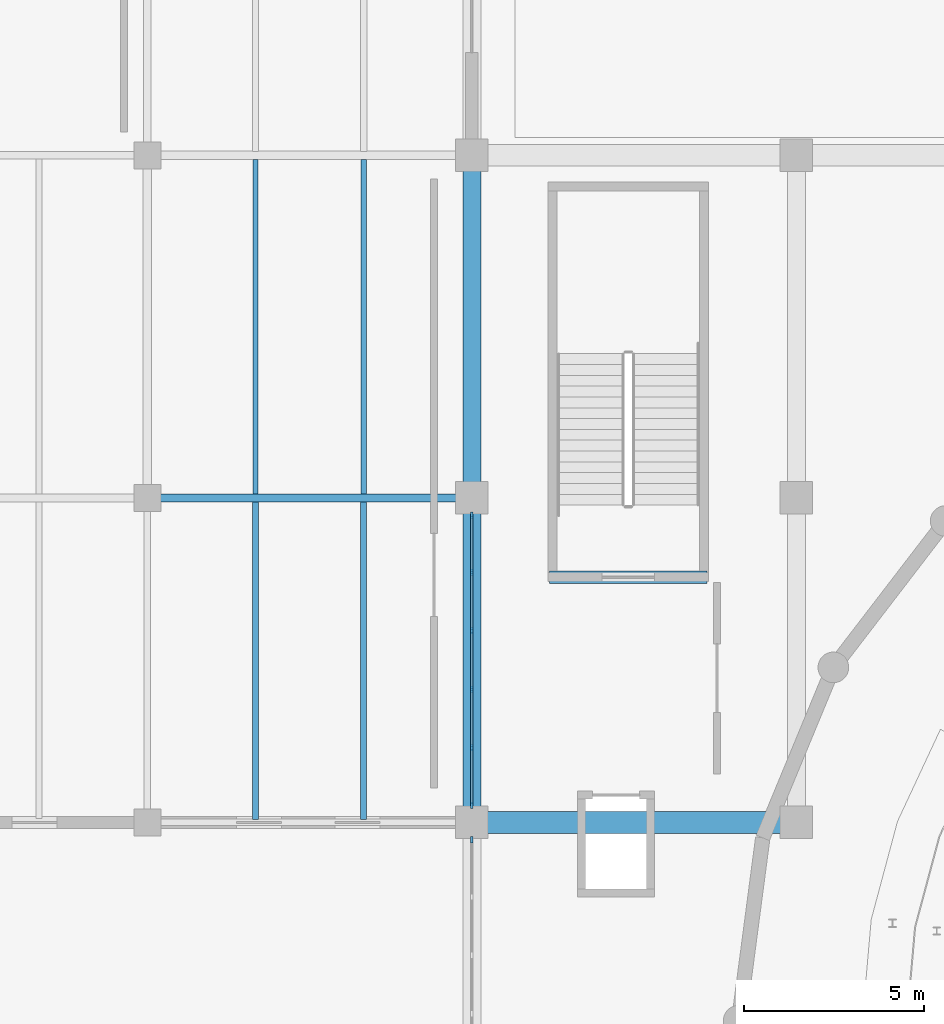
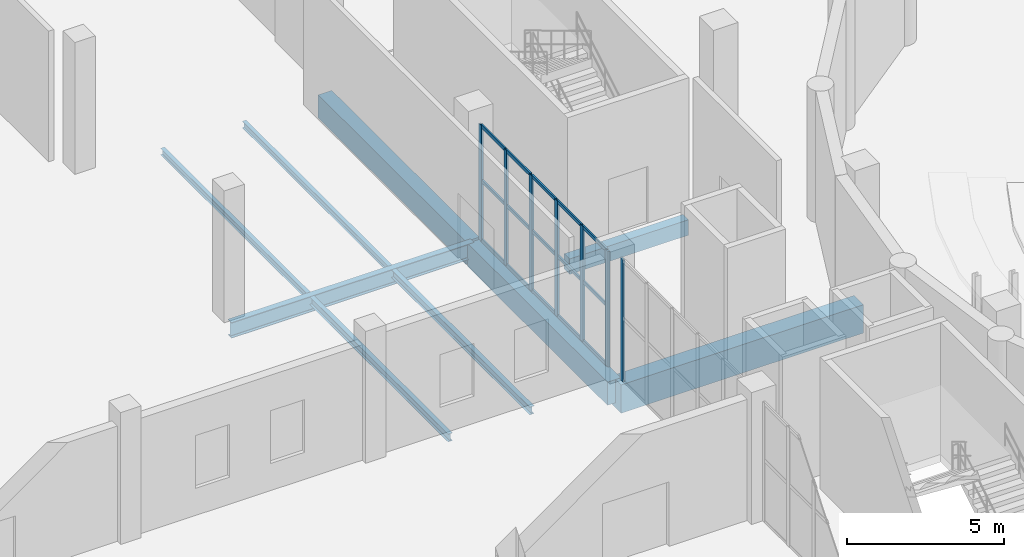
# One storey, part 49 of 103: 22 members, 9 beams, 2 elements without a shape of their own.
"""IFC4 building model written with IfcOpenShell, lengths in metres."""

from ifc_helpers import new_model, si_unit, direction, frame, origin, origin_2d, place, context, subcontext, project, spatial, rectangle, i_section, extrude, material, layer, layer_set, material_profile, profile_set, type_object, element, aggregate, save


model = new_model("IFC4")

# Units and contexts
model_context = context("Model", 3, precision=1e-05, world=origin(), true_north=direction((0.0, 1.0)))
body_context = subcontext(model_context, "Body", "Model", "MODEL_VIEW")
ifc_project = project(units=[si_unit("LENGTHUNIT", "METRE"), si_unit("AREAUNIT", "SQUARE_METRE"), si_unit("VOLUMEUNIT", "CUBIC_METRE"), si_unit("PLANEANGLEUNIT", "RADIAN"), si_unit("MASSUNIT", "GRAM", prefix="KILO")], contexts=[model_context])

# Site, building, storey
site_placement = place(None, origin())
site = spatial("IfcSite", under=ifc_project, at=site_placement, CompositionType="ELEMENT")
building_placement = place(site_placement, origin())
building = spatial("IfcBuilding", under=site, at=building_placement, Name="Marnock Terrace Opera House", CompositionType="ELEMENT")
storey_placement = place(building_placement, origin())
storey = spatial("IfcBuildingStorey", under=building, at=storey_placement, Name="L00", CompositionType="ELEMENT", Elevation=0.0)

# Beams
ifc_material_1 = material(Name="Concrete N40 (f'c = 40 MPa)", Category="concrete")
ifc_material_profile_1 = material_profile(ifc_material_1, rectangle(XDim=0.5, YDim=0.89990234375, at=origin_2d()))
ifc_profile_set_1 = profile_set([ifc_material_profile_1], Name="Concrete N40 (f'c = 40 MPa)")
beam_type_1 = type_object("IfcBeamType", Name="BM-B1-RC500", PredefinedType="BEAM", material=ifc_profile_set_1)
beam_1_placement = place(storey_placement, frame((55.0, 66.050048828125, -0.75), z_axis=(0.0, 1.0, 0.0), x_axis=(-1.0, 0.0, 0.0)))
element("IfcBeam", 1, at=beam_1_placement, inside=storey, type_object=beam_type_1, Name="L00 girder (X=55.0, 66.0..75.0)", PredefinedType="BEAM", context=body_context, shape_type="SweptSolid", body=[
    extrude(rectangle(XDim=0.5, YDim=0.89990234375, at=origin_2d()), origin(), (0.0, 0.0, 1.0), 8.89990234375),
])
beam_2_placement = place(storey_placement, frame((55.0, 75.050048828125, -0.75), z_axis=(0.0, 1.0, 0.0), x_axis=(-1.0, 0.0, 0.0)))
element("IfcBeam", 2, at=beam_2_placement, inside=storey, type_object=beam_type_1, Name="L00 girder (X=55.0, 75.0..84.5)", PredefinedType="BEAM", context=body_context, shape_type="SweptSolid", body=[
    extrude(rectangle(XDim=0.5, YDim=0.89990234375, at=origin_2d()), origin(), (0.0, 0.0, 1.0), 9.39990234375),
])
ifc_material_profile_2 = material_profile(ifc_material_1, rectangle(XDim=0.60009765625, YDim=1.10009765625, at=origin_2d()))
ifc_profile_set_2 = profile_set([ifc_material_profile_2], Name="Concrete N40 (f'c = 40 MPa)")
beam_type_2 = type_object("IfcBeamType", Name="BM-B1-RC600", PredefinedType="BEAM", material=ifc_profile_set_2)
beam_3_placement = place(storey_placement, frame((55.050048828125, 66.0, -0.85009765625), z_axis=(1.0, 0.0, 0.0), x_axis=(0.0, 1.0, 0.0)))
element("IfcBeam", 3, at=beam_3_placement, inside=storey, type_object=beam_type_2, Name="L00 girder (55.0..64.0, Y=66.0)", PredefinedType="BEAM", context=body_context, shape_type="SweptSolid", body=[
    extrude(rectangle(XDim=0.60009765625, YDim=1.10009765625, at=origin_2d()), origin(), (0.0, 0.0, 1.0), 8.89990234375),
])
ifc_material_2 = material(Name="Steel Grade 350 (AS/NZS 3679.1)", Category="steel")
ifc_material_profile_3 = material_profile(ifc_material_2, i_section(OverallWidth=0.22900390625, OverallDepth=0.611572265625, WebThickness=0.011962890625, FlangeThickness=0.01953125, FilletRadius=0.013916015625, at=origin_2d()))
ifc_profile_set_3 = profile_set([ifc_material_profile_3], Name="Steel Grade 350 (AS/NZS 3679.1)")
beam_type_3 = type_object("IfcBeamType", Name="BM-GIRD-610A", PredefinedType="BEAM", material=ifc_profile_set_3)
beam_4_placement = place(storey_placement, frame((46.050048828125, 75.0, -0.605712890625), z_axis=(1.0, 0.0, 0.0), x_axis=(0.0, 1.0, 0.0)))
element("IfcBeam", 4, at=beam_4_placement, inside=storey, type_object=beam_type_3, Name="L00 girder (46.0..55.0, Y=75.0)", PredefinedType="BEAM", context=body_context, shape_type="SweptSolid", body=[
    extrude(i_section(OverallWidth=0.22900390625, OverallDepth=0.611572265625, WebThickness=0.011962890625, FlangeThickness=0.01953125, FilletRadius=0.013916015625, at=origin_2d()), origin(), (0.0, 0.0, 1.0), 8.89990234375),
])
ifc_material_profile_4 = material_profile(ifc_material_2, i_section(OverallWidth=0.14599609375, OverallDepth=0.256103515625, WebThickness=0.00634765625, FlangeThickness=0.010986328125, FilletRadius=0.0087890625, at=origin_2d()))
ifc_profile_set_4 = profile_set([ifc_material_profile_4], Name="Steel Grade 350 (AS/NZS 3679.1)")
beam_type_4 = type_object("IfcBeamType", Name="BM-JOIST-250", PredefinedType="JOIST", material=ifc_profile_set_4)
for number, where, z_axis, x_axis, name in (
    (5, (49.0, 75.109619140625, -0.427978515625), (0.0, 1.0, 0.0), (-1.0, 0.0, 0.0), "L00 secondary joist 5.9.1"),
    (6, (52.0, 75.109619140625, -0.427978515625), (0.0, 1.0, 0.0), (-1.0, 0.0, 0.0), "L00 secondary joist 5.9.2"),
):
    element("IfcBeam", number, at=place(storey_placement, frame(where, z_axis=z_axis, x_axis=x_axis)), inside=storey, type_object=beam_type_4, Name=name, PredefinedType="JOIST", context=body_context, shape_type="SweptSolid", body=[
        extrude(i_section(OverallWidth=0.14599609375, OverallDepth=0.256103515625, WebThickness=0.00634765625, FlangeThickness=0.010986328125, FilletRadius=0.0087890625, at=origin_2d()), origin(), (0.0, 0.0, 1.0), 9.281494140625),
    ])
ifc_material_profile_5 = material_profile(ifc_material_2, i_section(OverallWidth=0.1650390625, OverallDepth=0.3037109375, WebThickness=0.006103515625, FlangeThickness=0.01025390625, FilletRadius=0.011474609375, at=origin_2d()))
ifc_profile_set_5 = profile_set([ifc_material_profile_5], Name="Steel Grade 350 (AS/NZS 3679.1)")
beam_type_5 = type_object("IfcBeamType", Name="BM-JOIST-310B", PredefinedType="JOIST", material=ifc_profile_set_5)
for number, where, z_axis, x_axis, name in (
    (7, (49.0, 66.083984375, -0.451904296875), (0.0, 1.0, 0.0), (-1.0, 0.0, 0.0), "L00 secondary joist 5.8.1"),
    (8, (52.0, 66.083984375, -0.451904296875), (0.0, 1.0, 0.0), (-1.0, 0.0, 0.0), "L00 secondary joist 5.8.2"),
):
    element("IfcBeam", number, at=place(storey_placement, frame(where, z_axis=z_axis, x_axis=x_axis)), inside=storey, type_object=beam_type_5, Name=name, PredefinedType="JOIST", context=body_context, shape_type="SweptSolid", body=[
        extrude(i_section(OverallWidth=0.1650390625, OverallDepth=0.3037109375, WebThickness=0.006103515625, FlangeThickness=0.01025390625, FilletRadius=0.011474609375, at=origin_2d()), origin(), (0.0, 0.0, 1.0), 8.806396484375),
    ])
ifc_material_profile_6 = material_profile(ifc_material_1, rectangle(XDim=0.35009765625, YDim=0.60009765625, at=origin_2d()))
ifc_profile_set_6 = profile_set([ifc_material_profile_6], Name="Concrete N40 (f'c = 40 MPa)")
beam_type_6 = type_object("IfcBeamType", Name="BM-LINT-RC350", PredefinedType="LINTEL", material=ifc_profile_set_6)
beam_5_placement = place(storey_placement, frame((57.159912109375, 72.800048828125, -0.64990234375), z_axis=(1.0, 0.0, 0.0), x_axis=(0.0, 1.0, 0.0)))
element("IfcBeam", 9, at=beam_5_placement, inside=storey, type_object=beam_type_6, Name="B1 Core C3 coupling lintel", PredefinedType="LINTEL", context=body_context, shape_type="SweptSolid", body=[
    extrude(rectangle(XDim=0.35009765625, YDim=0.60009765625, at=origin_2d()), origin(), (0.0, 0.0, 1.0), 4.360107421875),
])

# Curtain wall, member
ifc_material_3 = material(Name="Anodised architectural bronze aluminium framing", Category="aluminium")
ifc_layer = layer(ifc_material_3, 0.159912109375)
ifc_layer_set = layer_set([ifc_layer], Name="Anodised architectural bronze aluminium framing")
curtain_wall_type = type_object("IfcCurtainWallType", Name="CW-FOYER-90x51", PredefinedType="NOTDEFINED", material=ifc_layer_set)
curtain_wall_1_placement = place(storey_placement, origin())
curtain_wall_1 = element("IfcCurtainWall", 10, at=curtain_wall_1_placement, inside=storey, type_object=curtain_wall_type, Name="L00 glazed Beaux-Arts colonnade curtain wall CW-V1W-L00-07", PredefinedType="NOTDEFINED")
ifc_material_profile_7 = material_profile(ifc_material_3, rectangle(XDim=0.06494140625, YDim=0.179931640625, at=origin_2d()))
ifc_profile_set_7 = profile_set([ifc_material_profile_7], Name="Anodised architectural bronze aluminium framing")
member_type_1 = type_object("IfcMemberType", Name="CWM-65x180", PredefinedType="MULLION", material=ifc_profile_set_7)
member_1_placement = place(storey_placement, frame((55.0, 65.52392578125, 0.0), z_axis=(0.0, 0.0, 1.0), x_axis=(-1.0, 0.0, 0.0)))
member_1 = element("IfcMember", 11, at=member_1_placement, type_object=member_type_1, Name="CW-31 mullion 6", PredefinedType="MULLION", context=body_context, shape_type="SweptSolid", body=[
    extrude(rectangle(XDim=0.06494140625, YDim=0.179931640625, at=origin_2d()), origin(), (0.0, 0.0, 1.0), 4.734375),
])
aggregate(curtain_wall_1, [member_1])

# Curtain wall, members
curtain_wall_2_placement = place(storey_placement, origin())
curtain_wall_2 = element("IfcCurtainWall", 12, at=curtain_wall_2_placement, inside=storey, type_object=curtain_wall_type, Name="L00 glazed Beaux-Arts colonnade curtain wall CW-V1W-L00-08", PredefinedType="NOTDEFINED")
member_2_placement = place(storey_placement, frame((55.0, 66.47607421875, 0.0), z_axis=(0.0, 0.0, 1.0), x_axis=(-1.0, 0.0, 0.0)))
member_2 = element("IfcMember", 13, at=member_2_placement, type_object=member_type_1, Name="CW-31 mullion 1", PredefinedType="MULLION", context=body_context, shape_type="SweptSolid", body=[
    extrude(rectangle(XDim=0.06494140625, YDim=0.179931640625, at=origin_2d()), origin(), (0.0, 0.0, 1.0), 4.488037109375),
])
member_3_placement = place(storey_placement, frame((55.0, 68.067626953125, 0.0), z_axis=(0.0, 0.0, 1.0), x_axis=(-1.0, 0.0, 0.0)))
member_3 = element("IfcMember", 14, at=member_3_placement, type_object=member_type_1, Name="CW-31 mullion 2", PredefinedType="MULLION", context=body_context, shape_type="SweptSolid", body=[
    extrude(rectangle(XDim=0.06494140625, YDim=0.179931640625, at=origin_2d()), origin(), (0.0, 0.0, 1.0), 4.488037109375),
])
member_4_placement = place(storey_placement, frame((55.0, 69.689208984375, 0.0), z_axis=(0.0, 0.0, 1.0), x_axis=(-1.0, 0.0, 0.0)))
member_4 = element("IfcMember", 15, at=member_4_placement, type_object=member_type_1, Name="CW-31 mullion 3", PredefinedType="MULLION", context=body_context, shape_type="SweptSolid", body=[
    extrude(rectangle(XDim=0.06494140625, YDim=0.179931640625, at=origin_2d()), origin(), (0.0, 0.0, 1.0), 4.488037109375),
])
member_5_placement = place(storey_placement, frame((55.0, 71.310791015625, 0.0), z_axis=(0.0, 0.0, 1.0), x_axis=(-1.0, 0.0, 0.0)))
member_5 = element("IfcMember", 16, at=member_5_placement, type_object=member_type_1, Name="CW-31 mullion 4", PredefinedType="MULLION", context=body_context, shape_type="SweptSolid", body=[
    extrude(rectangle(XDim=0.06494140625, YDim=0.179931640625, at=origin_2d()), origin(), (0.0, 0.0, 1.0), 4.488037109375),
])
member_6_placement = place(storey_placement, frame((55.0, 72.932373046875, 0.0), z_axis=(0.0, 0.0, 1.0), x_axis=(-1.0, 0.0, 0.0)))
member_6 = element("IfcMember", 17, at=member_6_placement, type_object=member_type_1, Name="CW-31 mullion 5", PredefinedType="MULLION", context=body_context, shape_type="SweptSolid", body=[
    extrude(rectangle(XDim=0.06494140625, YDim=0.179931640625, at=origin_2d()), origin(), (0.0, 0.0, 1.0), 4.488037109375),
])
member_7_placement = place(storey_placement, frame((55.0, 74.52392578125, 0.0), z_axis=(0.0, 0.0, 1.0), x_axis=(-1.0, 0.0, 0.0)))
member_7 = element("IfcMember", 18, at=member_7_placement, type_object=member_type_1, Name="CW-31 mullion 6", PredefinedType="MULLION", context=body_context, shape_type="SweptSolid", body=[
    extrude(rectangle(XDim=0.06494140625, YDim=0.179931640625, at=origin_2d()), origin(), (0.0, 0.0, 1.0), 4.488037109375),
])
ifc_material_profile_8 = material_profile(ifc_material_3, rectangle(XDim=0.06005859375, YDim=0.1298828125, at=origin_2d()))
ifc_profile_set_8 = profile_set([ifc_material_profile_8], Name="Anodised architectural bronze aluminium framing")
member_type_2 = type_object("IfcMemberType", Name="CWT-60x130", PredefinedType="USERDEFINED", material=ifc_profile_set_8)
member_8_placement = place(storey_placement, frame((55.0, 66.506103515625, 0.030029296875), z_axis=(0.0, 1.0, 0.0), x_axis=(-1.0, 0.0, 0.0)))
member_8 = element("IfcMember", 19, at=member_8_placement, type_object=member_type_2, Name="CW-31 transom 1.1", ObjectType="TRANSOM", PredefinedType="USERDEFINED", context=body_context, shape_type="SweptSolid", body=[
    extrude(rectangle(XDim=0.06005859375, YDim=0.1298828125, at=origin_2d()), origin(), (0.0, 0.0, 1.0), 1.531494140625),
])
member_9_placement = place(storey_placement, frame((55.0, 66.506103515625, 2.333740234375), z_axis=(0.0, 1.0, 0.0), x_axis=(-1.0, 0.0, 0.0)))
member_9 = element("IfcMember", 20, at=member_9_placement, type_object=member_type_2, Name="CW-31 transom 1.2", ObjectType="TRANSOM", PredefinedType="USERDEFINED", context=body_context, shape_type="SweptSolid", body=[
    extrude(rectangle(XDim=0.06005859375, YDim=0.1298828125, at=origin_2d()), origin(), (0.0, 0.0, 1.0), 1.531494140625),
])
member_10_placement = place(storey_placement, frame((55.0, 66.506103515625, 4.4580078125), z_axis=(0.0, 1.0, 0.0), x_axis=(-1.0, 0.0, 0.0)))
member_10 = element("IfcMember", 21, at=member_10_placement, type_object=member_type_2, Name="CW-31 transom 1.3", ObjectType="TRANSOM", PredefinedType="USERDEFINED", context=body_context, shape_type="SweptSolid", body=[
    extrude(rectangle(XDim=0.06005859375, YDim=0.1298828125, at=origin_2d()), origin(), (0.0, 0.0, 1.0), 1.531494140625),
])
member_11_placement = place(storey_placement, frame((55.0, 68.09765625, 0.030029296875), z_axis=(0.0, 1.0, 0.0), x_axis=(-1.0, 0.0, 0.0)))
member_11 = element("IfcMember", 22, at=member_11_placement, type_object=member_type_2, Name="CW-31 transom 2.1", ObjectType="TRANSOM", PredefinedType="USERDEFINED", context=body_context, shape_type="SweptSolid", body=[
    extrude(rectangle(XDim=0.06005859375, YDim=0.1298828125, at=origin_2d()), origin(), (0.0, 0.0, 1.0), 1.5615234375),
])
member_12_placement = place(storey_placement, frame((55.0, 68.09765625, 2.333740234375), z_axis=(0.0, 1.0, 0.0), x_axis=(-1.0, 0.0, 0.0)))
member_12 = element("IfcMember", 23, at=member_12_placement, type_object=member_type_2, Name="CW-31 transom 2.2", ObjectType="TRANSOM", PredefinedType="USERDEFINED", context=body_context, shape_type="SweptSolid", body=[
    extrude(rectangle(XDim=0.06005859375, YDim=0.1298828125, at=origin_2d()), origin(), (0.0, 0.0, 1.0), 1.5615234375),
])
member_13_placement = place(storey_placement, frame((55.0, 68.09765625, 4.4580078125), z_axis=(0.0, 1.0, 0.0), x_axis=(-1.0, 0.0, 0.0)))
member_13 = element("IfcMember", 24, at=member_13_placement, type_object=member_type_2, Name="CW-31 transom 2.3", ObjectType="TRANSOM", PredefinedType="USERDEFINED", context=body_context, shape_type="SweptSolid", body=[
    extrude(rectangle(XDim=0.06005859375, YDim=0.1298828125, at=origin_2d()), origin(), (0.0, 0.0, 1.0), 1.5615234375),
])
member_14_placement = place(storey_placement, frame((55.0, 69.71923828125, 0.030029296875), z_axis=(0.0, 1.0, 0.0), x_axis=(-1.0, 0.0, 0.0)))
member_14 = element("IfcMember", 25, at=member_14_placement, type_object=member_type_2, Name="CW-31 transom 3.1", ObjectType="TRANSOM", PredefinedType="USERDEFINED", context=body_context, shape_type="SweptSolid", body=[
    extrude(rectangle(XDim=0.06005859375, YDim=0.1298828125, at=origin_2d()), origin(), (0.0, 0.0, 1.0), 1.5615234375),
])
member_15_placement = place(storey_placement, frame((55.0, 69.71923828125, 2.333740234375), z_axis=(0.0, 1.0, 0.0), x_axis=(-1.0, 0.0, 0.0)))
member_15 = element("IfcMember", 26, at=member_15_placement, type_object=member_type_2, Name="CW-31 transom 3.2", ObjectType="TRANSOM", PredefinedType="USERDEFINED", context=body_context, shape_type="SweptSolid", body=[
    extrude(rectangle(XDim=0.06005859375, YDim=0.1298828125, at=origin_2d()), origin(), (0.0, 0.0, 1.0), 1.5615234375),
])
member_16_placement = place(storey_placement, frame((55.0, 69.71923828125, 4.4580078125), z_axis=(0.0, 1.0, 0.0), x_axis=(-1.0, 0.0, 0.0)))
member_16 = element("IfcMember", 27, at=member_16_placement, type_object=member_type_2, Name="CW-31 transom 3.3", ObjectType="TRANSOM", PredefinedType="USERDEFINED", context=body_context, shape_type="SweptSolid", body=[
    extrude(rectangle(XDim=0.06005859375, YDim=0.1298828125, at=origin_2d()), origin(), (0.0, 0.0, 1.0), 1.5615234375),
])
member_17_placement = place(storey_placement, frame((55.0, 71.3408203125, 0.030029296875), z_axis=(0.0, 1.0, 0.0), x_axis=(-1.0, 0.0, 0.0)))
member_17 = element("IfcMember", 28, at=member_17_placement, type_object=member_type_2, Name="CW-31 transom 4.1", ObjectType="TRANSOM", PredefinedType="USERDEFINED", context=body_context, shape_type="SweptSolid", body=[
    extrude(rectangle(XDim=0.06005859375, YDim=0.1298828125, at=origin_2d()), origin(), (0.0, 0.0, 1.0), 1.5615234375),
])
member_18_placement = place(storey_placement, frame((55.0, 71.3408203125, 2.333740234375), z_axis=(0.0, 1.0, 0.0), x_axis=(-1.0, 0.0, 0.0)))
member_18 = element("IfcMember", 29, at=member_18_placement, type_object=member_type_2, Name="CW-31 transom 4.2", ObjectType="TRANSOM", PredefinedType="USERDEFINED", context=body_context, shape_type="SweptSolid", body=[
    extrude(rectangle(XDim=0.06005859375, YDim=0.1298828125, at=origin_2d()), origin(), (0.0, 0.0, 1.0), 1.5615234375),
])
member_19_placement = place(storey_placement, frame((55.0, 71.3408203125, 4.4580078125), z_axis=(0.0, 1.0, 0.0), x_axis=(-1.0, 0.0, 0.0)))
member_19 = element("IfcMember", 30, at=member_19_placement, type_object=member_type_2, Name="CW-31 transom 4.3", ObjectType="TRANSOM", PredefinedType="USERDEFINED", context=body_context, shape_type="SweptSolid", body=[
    extrude(rectangle(XDim=0.06005859375, YDim=0.1298828125, at=origin_2d()), origin(), (0.0, 0.0, 1.0), 1.5615234375),
])
member_20_placement = place(storey_placement, frame((55.0, 72.96240234375, 0.030029296875), z_axis=(0.0, 1.0, 0.0), x_axis=(-1.0, 0.0, 0.0)))
member_20 = element("IfcMember", 31, at=member_20_placement, type_object=member_type_2, Name="CW-31 transom 5.1", ObjectType="TRANSOM", PredefinedType="USERDEFINED", context=body_context, shape_type="SweptSolid", body=[
    extrude(rectangle(XDim=0.06005859375, YDim=0.1298828125, at=origin_2d()), origin(), (0.0, 0.0, 1.0), 1.531494140625),
])
member_21_placement = place(storey_placement, frame((55.0, 72.96240234375, 2.333740234375), z_axis=(0.0, 1.0, 0.0), x_axis=(-1.0, 0.0, 0.0)))
member_21 = element("IfcMember", 32, at=member_21_placement, type_object=member_type_2, Name="CW-31 transom 5.2", ObjectType="TRANSOM", PredefinedType="USERDEFINED", context=body_context, shape_type="SweptSolid", body=[
    extrude(rectangle(XDim=0.06005859375, YDim=0.1298828125, at=origin_2d()), origin(), (0.0, 0.0, 1.0), 1.531494140625),
])
member_22_placement = place(storey_placement, frame((55.0, 72.96240234375, 4.4580078125), z_axis=(0.0, 1.0, 0.0), x_axis=(-1.0, 0.0, 0.0)))
member_22 = element("IfcMember", 33, at=member_22_placement, type_object=member_type_2, Name="CW-31 transom 5.3", ObjectType="TRANSOM", PredefinedType="USERDEFINED", context=body_context, shape_type="SweptSolid", body=[
    extrude(rectangle(XDim=0.06005859375, YDim=0.1298828125, at=origin_2d()), origin(), (0.0, 0.0, 1.0), 1.531494140625),
])
aggregate(curtain_wall_2, [member_2, member_3, member_4, member_5, member_6, member_7, member_8, member_9, member_10, member_11, member_12, member_13, member_14, member_15, member_16, member_17, member_18, member_19, member_20, member_21, member_22])

save(model, "model.ifc")
